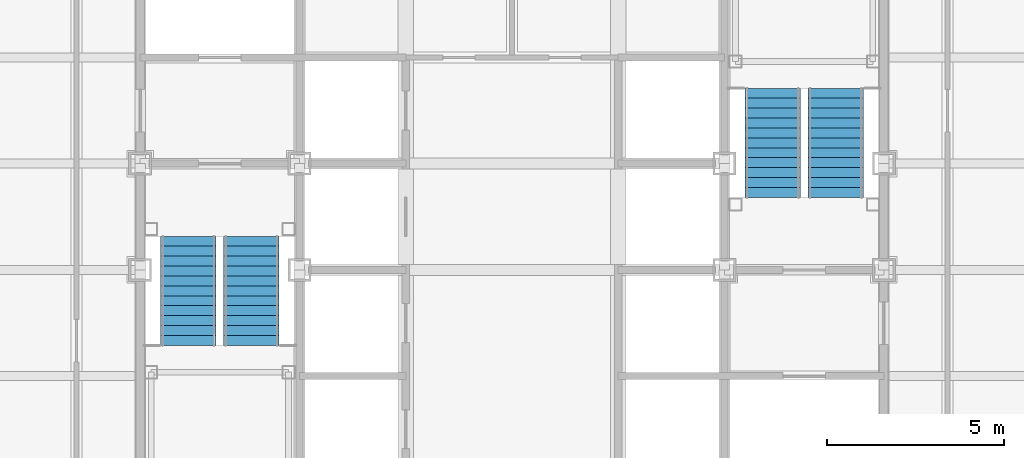
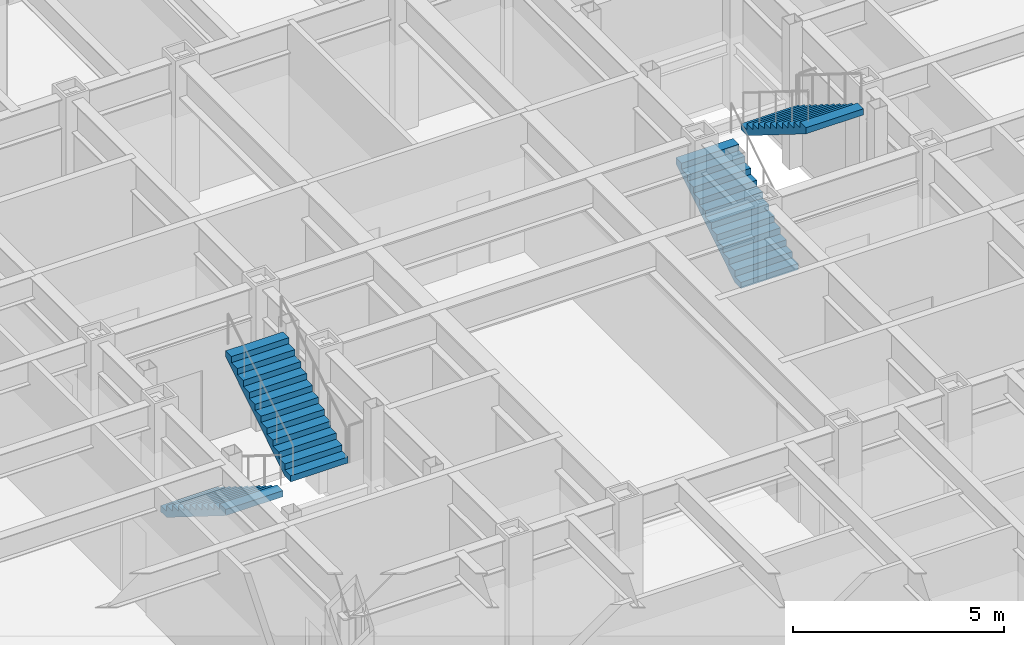
# One storey, part 13 of 16: 4 stair flights, 2 elements without a shape of their own.
"""IFC4 building model written with IfcOpenShell, lengths in metres."""

from ifc_helpers import new_model, si_unit, direction, frame, origin, place, context, subcontext, project, spatial, faceted_brep, material, type_object, element, aggregate, save


model = new_model("IFC4")

# Units and contexts
model_context = context("Model", 3, precision=1e-05, world=origin(), true_north=direction((0.0, 1.0)))
body_context = subcontext(model_context, "Body", "Model", "MODEL_VIEW")
ifc_project = project(units=[si_unit("LENGTHUNIT", "METRE"), si_unit("AREAUNIT", "SQUARE_METRE"), si_unit("VOLUMEUNIT", "CUBIC_METRE"), si_unit("PLANEANGLEUNIT", "RADIAN"), si_unit("MASSUNIT", "GRAM", prefix="KILO")], contexts=[model_context])

# Site, building, storey
site_placement = place(None, origin())
site = spatial("IfcSite", under=ifc_project, at=site_placement, CompositionType="ELEMENT")
building_placement = place(site_placement, origin())
building = spatial("IfcBuilding", under=site, at=building_placement, Name="Chuquiago Exchange Tower", CompositionType="ELEMENT")
storey_placement = place(building_placement, frame((0.0, 0.0, 153.0)))
storey = spatial("IfcBuildingStorey", under=building, at=storey_placement, Name="L33", CompositionType="ELEMENT", Elevation=153.0)

# Stair, stair flights
ifc_material_1 = material(Name="Concrete C30/37, precast", Category="concrete")
stair_type_1 = type_object("IfcStairType", Name="ST1 half-turn stair 4200", PredefinedType="HALF_TURN_STAIR", material=ifc_material_1)
stair_1_placement = place(storey_placement, origin())
stair_1 = element("IfcStair", 1, at=stair_1_placement, inside=storey, type_object=stair_type_1, Name="Stair ST1 L33", PredefinedType="HALF_TURN_STAIR")
ifc_material_2 = material(Name="Concrete C30/37, precast", Category="concrete")
stair_flight_type = type_object("IfcStairFlightType", Name="ST-F flight 1570 for 4200 storey", PredefinedType="STRAIGHT", material=ifc_material_2)
stair_flight_1_placement = place(storey_placement, frame((13.360107421875, 21.949951171875, 0.0), z_axis=(0.0, 0.0, 1.0), x_axis=(0.0, -1.0, 0.0)))
stair_flight_1 = element("IfcStairFlight", 2, at=stair_flight_1_placement, type_object=stair_flight_type, Name="ST1 flight 1", NumberOfRisers=12, NumberOfTreads=11, PredefinedType="STRAIGHT", RiserHeight=0.175, TreadLength=0.28, context=body_context, shape_type="Brep", body=[
    faceted_brep([(0.0, 0.78515625, 0.0), (0.0, 0.78515625, 0.175048828125), (0.280029296875, 0.78515625, 0.175048828125), (0.280029296875, 0.78515625, 0.35009765625), (0.56005859375, 0.78515625, 0.35009765625), (0.56005859375, 0.78515625, 0.52490234375), (0.840087890625, 0.78515625, 0.52490234375), (0.840087890625, 0.78515625, 0.699951171875), (1.1201171875, 0.78515625, 0.699951171875), (1.1201171875, 0.78515625, 0.875), (1.39990234375, 0.78515625, 0.875), (1.39990234375, 0.78515625, 1.050048828125), (1.679931640625, 0.78515625, 1.050048828125), (1.679931640625, 0.78515625, 1.22509765625), (1.9599609375, 0.78515625, 1.22509765625), (1.9599609375, 0.78515625, 1.39990234375), (2.239990234375, 0.78515625, 1.39990234375), (2.239990234375, 0.78515625, 1.574951171875), (2.52001953125, 0.78515625, 1.574951171875), (2.52001953125, 0.78515625, 1.75), (2.800048828125, 0.78515625, 1.75), (2.800048828125, 0.78515625, 1.925048828125), (3.080078125, 0.78515625, 1.925048828125), (3.080078125, 0.78515625, 1.748291015625), (0.28271484375, 0.78515625, 0.0), (0.28271484375, -0.78515625, 0.0), (3.080078125, -0.78515625, 1.748291015625), (3.080078125, -0.78515625, 1.925048828125), (2.800048828125, -0.78515625, 1.925048828125), (2.800048828125, -0.78515625, 1.75), (2.52001953125, -0.78515625, 1.75), (2.52001953125, -0.78515625, 1.574951171875), (2.239990234375, -0.78515625, 1.574951171875), (2.239990234375, -0.78515625, 1.39990234375), (1.9599609375, -0.78515625, 1.39990234375), (1.9599609375, -0.78515625, 1.22509765625), (1.679931640625, -0.78515625, 1.22509765625), (1.679931640625, -0.78515625, 1.050048828125), (1.39990234375, -0.78515625, 1.050048828125), (1.39990234375, -0.78515625, 0.875), (1.1201171875, -0.78515625, 0.875), (1.1201171875, -0.78515625, 0.699951171875), (0.840087890625, -0.78515625, 0.699951171875), (0.840087890625, -0.78515625, 0.52490234375), (0.56005859375, -0.78515625, 0.52490234375), (0.56005859375, -0.78515625, 0.35009765625), (0.280029296875, -0.78515625, 0.35009765625), (0.280029296875, -0.78515625, 0.175048828125), (0.0, -0.78515625, 0.175048828125), (0.0, -0.78515625, 0.0), (0.0, 0.392578125, 0.0), (0.0, 0.392578125, 0.175048828125), (0.0, 0.0, 0.0), (0.0, 0.0, 0.175048828125), (0.0, -0.392578125, 0.0), (0.0, -0.392578125, 0.175048828125), (0.280029296875, 0.392578125, 0.175048828125), (0.280029296875, 0.0, 0.175048828125), (0.280029296875, -0.392578125, 0.175048828125), (0.280029296875, 0.392578125, 0.35009765625), (0.280029296875, 0.0, 0.35009765625), (0.280029296875, -0.392578125, 0.35009765625), (0.56005859375, 0.392578125, 0.35009765625), (0.56005859375, 0.0, 0.35009765625), (0.56005859375, -0.392578125, 0.35009765625), (0.56005859375, 0.392578125, 0.52490234375), (0.56005859375, 0.0, 0.52490234375), (0.56005859375, -0.392578125, 0.52490234375), (0.840087890625, 0.392578125, 0.52490234375), (0.840087890625, 0.0, 0.52490234375), (0.840087890625, -0.392578125, 0.52490234375), (0.840087890625, 0.392578125, 0.699951171875), (0.840087890625, 0.0, 0.699951171875), (0.840087890625, -0.392578125, 0.699951171875), (1.1201171875, 0.392578125, 0.699951171875), (1.1201171875, 0.0, 0.699951171875), (1.1201171875, -0.392578125, 0.699951171875), (1.1201171875, 0.392578125, 0.875), (1.1201171875, 0.0, 0.875), (1.1201171875, -0.392578125, 0.875), (1.39990234375, 0.392578125, 0.875), (1.39990234375, 0.0, 0.875), (1.39990234375, -0.392578125, 0.875), (1.39990234375, 0.392578125, 1.050048828125), (1.39990234375, 0.0, 1.050048828125), (1.39990234375, -0.392578125, 1.050048828125), (1.679931640625, 0.392578125, 1.050048828125), (1.679931640625, 0.0, 1.050048828125), (1.679931640625, -0.392578125, 1.050048828125), (1.679931640625, 0.392578125, 1.22509765625), (1.679931640625, 0.0, 1.22509765625), (1.679931640625, -0.392578125, 1.22509765625), (1.9599609375, 0.392578125, 1.22509765625), (1.9599609375, 0.0, 1.22509765625), (1.9599609375, -0.392578125, 1.22509765625), (1.9599609375, 0.392578125, 1.39990234375), (1.9599609375, 0.0, 1.39990234375), (1.9599609375, -0.392578125, 1.39990234375), (2.239990234375, 0.392578125, 1.39990234375), (2.239990234375, 0.0, 1.39990234375), (2.239990234375, -0.392578125, 1.39990234375), (2.239990234375, 0.392578125, 1.574951171875), (2.239990234375, 0.0, 1.574951171875), (2.239990234375, -0.392578125, 1.574951171875), (2.52001953125, 0.392578125, 1.574951171875), (2.52001953125, 0.0, 1.574951171875), (2.52001953125, -0.392578125, 1.574951171875), (2.52001953125, 0.392578125, 1.75), (2.52001953125, 0.0, 1.75), (2.52001953125, -0.392578125, 1.75), (2.800048828125, 0.392578125, 1.75), (2.800048828125, 0.0, 1.75), (2.800048828125, -0.392578125, 1.75), (2.800048828125, 0.392578125, 1.925048828125), (2.800048828125, 0.0, 1.925048828125), (2.800048828125, -0.392578125, 1.925048828125), (3.080078125, 0.392578125, 1.925048828125), (3.080078125, 0.0, 1.925048828125), (3.080078125, -0.392578125, 1.925048828125), (3.080078125, 0.392578125, 1.748291015625), (3.080078125, 0.0, 1.748291015625), (3.080078125, -0.392578125, 1.748291015625), (0.28271484375, 0.392578125, 0.0), (0.28271484375, 0.0, 0.0), (0.28271484375, -0.392578125, 0.0)], [[[0, 1, 2, 3, 4, 5, 6, 7, 8, 9, 10, 11, 12, 13, 14, 15, 16, 17, 18, 19, 20, 21, 22, 23, 24]], [[25, 26, 27, 28, 29, 30, 31, 32, 33, 34, 35, 36, 37, 38, 39, 40, 41, 42, 43, 44, 45, 46, 47, 48, 49]], [[1, 0, 50, 51]], [[51, 50, 52, 53]], [[53, 52, 54, 55]], [[55, 54, 49, 48]], [[2, 1, 51, 56]], [[56, 51, 53, 57]], [[57, 53, 55, 58]], [[58, 55, 48, 47]], [[3, 2, 56, 59]], [[59, 56, 57, 60]], [[60, 57, 58, 61]], [[61, 58, 47, 46]], [[4, 3, 59, 62]], [[62, 59, 60, 63]], [[63, 60, 61, 64]], [[64, 61, 46, 45]], [[5, 4, 62, 65]], [[65, 62, 63, 66]], [[66, 63, 64, 67]], [[67, 64, 45, 44]], [[6, 5, 65, 68]], [[68, 65, 66, 69]], [[69, 66, 67, 70]], [[70, 67, 44, 43]], [[7, 6, 68, 71]], [[71, 68, 69, 72]], [[72, 69, 70, 73]], [[73, 70, 43, 42]], [[8, 7, 71, 74]], [[74, 71, 72, 75]], [[75, 72, 73, 76]], [[76, 73, 42, 41]], [[9, 8, 74, 77]], [[77, 74, 75, 78]], [[78, 75, 76, 79]], [[79, 76, 41, 40]], [[10, 9, 77, 80]], [[80, 77, 78, 81]], [[81, 78, 79, 82]], [[82, 79, 40, 39]], [[11, 10, 80, 83]], [[83, 80, 81, 84]], [[84, 81, 82, 85]], [[85, 82, 39, 38]], [[12, 11, 83, 86]], [[86, 83, 84, 87]], [[87, 84, 85, 88]], [[88, 85, 38, 37]], [[13, 12, 86, 89]], [[89, 86, 87, 90]], [[90, 87, 88, 91]], [[91, 88, 37, 36]], [[14, 13, 89, 92]], [[92, 89, 90, 93]], [[93, 90, 91, 94]], [[94, 91, 36, 35]], [[15, 14, 92, 95]], [[95, 92, 93, 96]], [[96, 93, 94, 97]], [[97, 94, 35, 34]], [[16, 15, 95, 98]], [[98, 95, 96, 99]], [[99, 96, 97, 100]], [[100, 97, 34, 33]], [[17, 16, 98, 101]], [[101, 98, 99, 102]], [[102, 99, 100, 103]], [[103, 100, 33, 32]], [[18, 17, 101, 104]], [[104, 101, 102, 105]], [[105, 102, 103, 106]], [[106, 103, 32, 31]], [[19, 18, 104, 107]], [[107, 104, 105, 108]], [[108, 105, 106, 109]], [[109, 106, 31, 30]], [[20, 19, 107, 110]], [[110, 107, 108, 111]], [[111, 108, 109, 112]], [[112, 109, 30, 29]], [[21, 20, 110, 113]], [[113, 110, 111, 114]], [[114, 111, 112, 115]], [[115, 112, 29, 28]], [[22, 21, 113, 116]], [[116, 113, 114, 117]], [[117, 114, 115, 118]], [[118, 115, 28, 27]], [[23, 22, 116, 119]], [[119, 116, 117, 120]], [[120, 117, 118, 121]], [[121, 118, 27, 26]], [[24, 23, 119, 122]], [[122, 119, 120, 123]], [[123, 120, 121, 124]], [[124, 121, 26, 25]], [[0, 24, 122, 50]], [[50, 122, 123, 52]], [[52, 123, 124, 54]], [[54, 124, 25, 49]]]),
])
stair_flight_2_placement = place(storey_placement, frame((15.139892578125, 18.8701171875, 2.10009765625), z_axis=(0.0, 0.0, 1.0), x_axis=(0.0, 1.0, 0.0)))
stair_flight_2 = element("IfcStairFlight", 3, at=stair_flight_2_placement, type_object=stair_flight_type, Name="ST1 flight 2", NumberOfRisers=12, NumberOfTreads=11, PredefinedType="STRAIGHT", RiserHeight=0.175, TreadLength=0.28, context=body_context, shape_type="Brep", body=[
    faceted_brep([(0.0, 0.78515625, 0.0), (0.0, 0.78515625, 0.175048828125), (0.280029296875, 0.78515625, 0.175048828125), (0.280029296875, 0.78515625, 0.35009765625), (0.56005859375, 0.78515625, 0.35009765625), (0.56005859375, 0.78515625, 0.52490234375), (0.840087890625, 0.78515625, 0.52490234375), (0.840087890625, 0.78515625, 0.699951171875), (1.1201171875, 0.78515625, 0.699951171875), (1.1201171875, 0.78515625, 0.875), (1.39990234375, 0.78515625, 0.875), (1.39990234375, 0.78515625, 1.050048828125), (1.679931640625, 0.78515625, 1.050048828125), (1.679931640625, 0.78515625, 1.22509765625), (1.9599609375, 0.78515625, 1.22509765625), (1.9599609375, 0.78515625, 1.39990234375), (2.239990234375, 0.78515625, 1.39990234375), (2.239990234375, 0.78515625, 1.574951171875), (2.52001953125, 0.78515625, 1.574951171875), (2.52001953125, 0.78515625, 1.75), (2.800048828125, 0.78515625, 1.75), (2.800048828125, 0.78515625, 1.925048828125), (3.080078125, 0.78515625, 1.925048828125), (3.080078125, 0.78515625, 1.748291015625), (0.28271484375, 0.78515625, 0.0), (0.28271484375, -0.78515625, 0.0), (3.080078125, -0.78515625, 1.748291015625), (3.080078125, -0.78515625, 1.925048828125), (2.800048828125, -0.78515625, 1.925048828125), (2.800048828125, -0.78515625, 1.75), (2.52001953125, -0.78515625, 1.75), (2.52001953125, -0.78515625, 1.574951171875), (2.239990234375, -0.78515625, 1.574951171875), (2.239990234375, -0.78515625, 1.39990234375), (1.9599609375, -0.78515625, 1.39990234375), (1.9599609375, -0.78515625, 1.22509765625), (1.679931640625, -0.78515625, 1.22509765625), (1.679931640625, -0.78515625, 1.050048828125), (1.39990234375, -0.78515625, 1.050048828125), (1.39990234375, -0.78515625, 0.875), (1.1201171875, -0.78515625, 0.875), (1.1201171875, -0.78515625, 0.699951171875), (0.840087890625, -0.78515625, 0.699951171875), (0.840087890625, -0.78515625, 0.52490234375), (0.56005859375, -0.78515625, 0.52490234375), (0.56005859375, -0.78515625, 0.35009765625), (0.280029296875, -0.78515625, 0.35009765625), (0.280029296875, -0.78515625, 0.175048828125), (0.0, -0.78515625, 0.175048828125), (0.0, -0.78515625, 0.0), (0.0, 0.392578125, 0.0), (0.0, 0.392578125, 0.175048828125), (0.0, 0.0, 0.0), (0.0, 0.0, 0.175048828125), (0.0, -0.392578125, 0.0), (0.0, -0.392578125, 0.175048828125), (0.280029296875, 0.392578125, 0.175048828125), (0.280029296875, 0.0, 0.175048828125), (0.280029296875, -0.392578125, 0.175048828125), (0.280029296875, 0.392578125, 0.35009765625), (0.280029296875, 0.0, 0.35009765625), (0.280029296875, -0.392578125, 0.35009765625), (0.56005859375, 0.392578125, 0.35009765625), (0.56005859375, 0.0, 0.35009765625), (0.56005859375, -0.392578125, 0.35009765625), (0.56005859375, 0.392578125, 0.52490234375), (0.56005859375, 0.0, 0.52490234375), (0.56005859375, -0.392578125, 0.52490234375), (0.840087890625, 0.392578125, 0.52490234375), (0.840087890625, 0.0, 0.52490234375), (0.840087890625, -0.392578125, 0.52490234375), (0.840087890625, 0.392578125, 0.699951171875), (0.840087890625, 0.0, 0.699951171875), (0.840087890625, -0.392578125, 0.699951171875), (1.1201171875, 0.392578125, 0.699951171875), (1.1201171875, 0.0, 0.699951171875), (1.1201171875, -0.392578125, 0.699951171875), (1.1201171875, 0.392578125, 0.875), (1.1201171875, 0.0, 0.875), (1.1201171875, -0.392578125, 0.875), (1.39990234375, 0.392578125, 0.875), (1.39990234375, 0.0, 0.875), (1.39990234375, -0.392578125, 0.875), (1.39990234375, 0.392578125, 1.050048828125), (1.39990234375, 0.0, 1.050048828125), (1.39990234375, -0.392578125, 1.050048828125), (1.679931640625, 0.392578125, 1.050048828125), (1.679931640625, 0.0, 1.050048828125), (1.679931640625, -0.392578125, 1.050048828125), (1.679931640625, 0.392578125, 1.22509765625), (1.679931640625, 0.0, 1.22509765625), (1.679931640625, -0.392578125, 1.22509765625), (1.9599609375, 0.392578125, 1.22509765625), (1.9599609375, 0.0, 1.22509765625), (1.9599609375, -0.392578125, 1.22509765625), (1.9599609375, 0.392578125, 1.39990234375), (1.9599609375, 0.0, 1.39990234375), (1.9599609375, -0.392578125, 1.39990234375), (2.239990234375, 0.392578125, 1.39990234375), (2.239990234375, 0.0, 1.39990234375), (2.239990234375, -0.392578125, 1.39990234375), (2.239990234375, 0.392578125, 1.574951171875), (2.239990234375, 0.0, 1.574951171875), (2.239990234375, -0.392578125, 1.574951171875), (2.52001953125, 0.392578125, 1.574951171875), (2.52001953125, 0.0, 1.574951171875), (2.52001953125, -0.392578125, 1.574951171875), (2.52001953125, 0.392578125, 1.75), (2.52001953125, 0.0, 1.75), (2.52001953125, -0.392578125, 1.75), (2.800048828125, 0.392578125, 1.75), (2.800048828125, 0.0, 1.75), (2.800048828125, -0.392578125, 1.75), (2.800048828125, 0.392578125, 1.925048828125), (2.800048828125, 0.0, 1.925048828125), (2.800048828125, -0.392578125, 1.925048828125), (3.080078125, 0.392578125, 1.925048828125), (3.080078125, 0.0, 1.925048828125), (3.080078125, -0.392578125, 1.925048828125), (3.080078125, 0.392578125, 1.748291015625), (3.080078125, 0.0, 1.748291015625), (3.080078125, -0.392578125, 1.748291015625), (0.28271484375, 0.392578125, 0.0), (0.28271484375, 0.0, 0.0), (0.28271484375, -0.392578125, 0.0)], [[[0, 1, 2, 3, 4, 5, 6, 7, 8, 9, 10, 11, 12, 13, 14, 15, 16, 17, 18, 19, 20, 21, 22, 23, 24]], [[25, 26, 27, 28, 29, 30, 31, 32, 33, 34, 35, 36, 37, 38, 39, 40, 41, 42, 43, 44, 45, 46, 47, 48, 49]], [[1, 0, 50, 51]], [[51, 50, 52, 53]], [[53, 52, 54, 55]], [[55, 54, 49, 48]], [[2, 1, 51, 56]], [[56, 51, 53, 57]], [[57, 53, 55, 58]], [[58, 55, 48, 47]], [[3, 2, 56, 59]], [[59, 56, 57, 60]], [[60, 57, 58, 61]], [[61, 58, 47, 46]], [[4, 3, 59, 62]], [[62, 59, 60, 63]], [[63, 60, 61, 64]], [[64, 61, 46, 45]], [[5, 4, 62, 65]], [[65, 62, 63, 66]], [[66, 63, 64, 67]], [[67, 64, 45, 44]], [[6, 5, 65, 68]], [[68, 65, 66, 69]], [[69, 66, 67, 70]], [[70, 67, 44, 43]], [[7, 6, 68, 71]], [[71, 68, 69, 72]], [[72, 69, 70, 73]], [[73, 70, 43, 42]], [[8, 7, 71, 74]], [[74, 71, 72, 75]], [[75, 72, 73, 76]], [[76, 73, 42, 41]], [[9, 8, 74, 77]], [[77, 74, 75, 78]], [[78, 75, 76, 79]], [[79, 76, 41, 40]], [[10, 9, 77, 80]], [[80, 77, 78, 81]], [[81, 78, 79, 82]], [[82, 79, 40, 39]], [[11, 10, 80, 83]], [[83, 80, 81, 84]], [[84, 81, 82, 85]], [[85, 82, 39, 38]], [[12, 11, 83, 86]], [[86, 83, 84, 87]], [[87, 84, 85, 88]], [[88, 85, 38, 37]], [[13, 12, 86, 89]], [[89, 86, 87, 90]], [[90, 87, 88, 91]], [[91, 88, 37, 36]], [[14, 13, 89, 92]], [[92, 89, 90, 93]], [[93, 90, 91, 94]], [[94, 91, 36, 35]], [[15, 14, 92, 95]], [[95, 92, 93, 96]], [[96, 93, 94, 97]], [[97, 94, 35, 34]], [[16, 15, 95, 98]], [[98, 95, 96, 99]], [[99, 96, 97, 100]], [[100, 97, 34, 33]], [[17, 16, 98, 101]], [[101, 98, 99, 102]], [[102, 99, 100, 103]], [[103, 100, 33, 32]], [[18, 17, 101, 104]], [[104, 101, 102, 105]], [[105, 102, 103, 106]], [[106, 103, 32, 31]], [[19, 18, 104, 107]], [[107, 104, 105, 108]], [[108, 105, 106, 109]], [[109, 106, 31, 30]], [[20, 19, 107, 110]], [[110, 107, 108, 111]], [[111, 108, 109, 112]], [[112, 109, 30, 29]], [[21, 20, 110, 113]], [[113, 110, 111, 114]], [[114, 111, 112, 115]], [[115, 112, 29, 28]], [[22, 21, 113, 116]], [[116, 113, 114, 117]], [[117, 114, 115, 118]], [[118, 115, 28, 27]], [[23, 22, 116, 119]], [[119, 116, 117, 120]], [[120, 117, 118, 121]], [[121, 118, 27, 26]], [[24, 23, 119, 122]], [[122, 119, 120, 123]], [[123, 120, 121, 124]], [[124, 121, 26, 25]], [[0, 24, 122, 50]], [[50, 122, 123, 52]], [[52, 123, 124, 54]], [[54, 124, 25, 49]]]),
])
aggregate(stair_1, [stair_flight_1, stair_flight_2])

ifc_material_3 = material(Name="Concrete C30/37, precast", Category="concrete")
stair_type_2 = type_object("IfcStairType", Name="ST2 half-turn stair 4200", PredefinedType="HALF_TURN_STAIR", material=ifc_material_3)
stair_2_placement = place(storey_placement, origin())
stair_2 = element("IfcStair", 4, at=stair_2_placement, inside=storey, type_object=stair_type_2, Name="Stair ST2 L33", PredefinedType="HALF_TURN_STAIR")
stair_flight_3_placement = place(storey_placement, frame((29.860107421875, 23.050048828125, 0.0), z_axis=(0.0, 0.0, 1.0), x_axis=(0.0, 1.0, 0.0)))
stair_flight_3 = element("IfcStairFlight", 5, at=stair_flight_3_placement, type_object=stair_flight_type, Name="ST2 flight 1", NumberOfRisers=12, NumberOfTreads=11, PredefinedType="STRAIGHT", RiserHeight=0.175, TreadLength=0.28, context=body_context, shape_type="Brep", body=[
    faceted_brep([(0.0, 0.78515625, 0.0), (0.0, 0.78515625, 0.175048828125), (0.280029296875, 0.78515625, 0.175048828125), (0.280029296875, 0.78515625, 0.35009765625), (0.56005859375, 0.78515625, 0.35009765625), (0.56005859375, 0.78515625, 0.52490234375), (0.840087890625, 0.78515625, 0.52490234375), (0.840087890625, 0.78515625, 0.699951171875), (1.1201171875, 0.78515625, 0.699951171875), (1.1201171875, 0.78515625, 0.875), (1.39990234375, 0.78515625, 0.875), (1.39990234375, 0.78515625, 1.050048828125), (1.679931640625, 0.78515625, 1.050048828125), (1.679931640625, 0.78515625, 1.22509765625), (1.9599609375, 0.78515625, 1.22509765625), (1.9599609375, 0.78515625, 1.39990234375), (2.239990234375, 0.78515625, 1.39990234375), (2.239990234375, 0.78515625, 1.574951171875), (2.52001953125, 0.78515625, 1.574951171875), (2.52001953125, 0.78515625, 1.75), (2.800048828125, 0.78515625, 1.75), (2.800048828125, 0.78515625, 1.925048828125), (3.080078125, 0.78515625, 1.925048828125), (3.080078125, 0.78515625, 1.748291015625), (0.28271484375, 0.78515625, 0.0), (0.28271484375, -0.78515625, 0.0), (3.080078125, -0.78515625, 1.748291015625), (3.080078125, -0.78515625, 1.925048828125), (2.800048828125, -0.78515625, 1.925048828125), (2.800048828125, -0.78515625, 1.75), (2.52001953125, -0.78515625, 1.75), (2.52001953125, -0.78515625, 1.574951171875), (2.239990234375, -0.78515625, 1.574951171875), (2.239990234375, -0.78515625, 1.39990234375), (1.9599609375, -0.78515625, 1.39990234375), (1.9599609375, -0.78515625, 1.22509765625), (1.679931640625, -0.78515625, 1.22509765625), (1.679931640625, -0.78515625, 1.050048828125), (1.39990234375, -0.78515625, 1.050048828125), (1.39990234375, -0.78515625, 0.875), (1.1201171875, -0.78515625, 0.875), (1.1201171875, -0.78515625, 0.699951171875), (0.840087890625, -0.78515625, 0.699951171875), (0.840087890625, -0.78515625, 0.52490234375), (0.56005859375, -0.78515625, 0.52490234375), (0.56005859375, -0.78515625, 0.35009765625), (0.280029296875, -0.78515625, 0.35009765625), (0.280029296875, -0.78515625, 0.175048828125), (0.0, -0.78515625, 0.175048828125), (0.0, -0.78515625, 0.0), (0.0, 0.392578125, 0.0), (0.0, 0.392578125, 0.175048828125), (0.0, 0.0, 0.0), (0.0, 0.0, 0.175048828125), (0.0, -0.392578125, 0.0), (0.0, -0.392578125, 0.175048828125), (0.280029296875, 0.392578125, 0.175048828125), (0.280029296875, 0.0, 0.175048828125), (0.280029296875, -0.392578125, 0.175048828125), (0.280029296875, 0.392578125, 0.35009765625), (0.280029296875, 0.0, 0.35009765625), (0.280029296875, -0.392578125, 0.35009765625), (0.56005859375, 0.392578125, 0.35009765625), (0.56005859375, 0.0, 0.35009765625), (0.56005859375, -0.392578125, 0.35009765625), (0.56005859375, 0.392578125, 0.52490234375), (0.56005859375, 0.0, 0.52490234375), (0.56005859375, -0.392578125, 0.52490234375), (0.840087890625, 0.392578125, 0.52490234375), (0.840087890625, 0.0, 0.52490234375), (0.840087890625, -0.392578125, 0.52490234375), (0.840087890625, 0.392578125, 0.699951171875), (0.840087890625, 0.0, 0.699951171875), (0.840087890625, -0.392578125, 0.699951171875), (1.1201171875, 0.392578125, 0.699951171875), (1.1201171875, 0.0, 0.699951171875), (1.1201171875, -0.392578125, 0.699951171875), (1.1201171875, 0.392578125, 0.875), (1.1201171875, 0.0, 0.875), (1.1201171875, -0.392578125, 0.875), (1.39990234375, 0.392578125, 0.875), (1.39990234375, 0.0, 0.875), (1.39990234375, -0.392578125, 0.875), (1.39990234375, 0.392578125, 1.050048828125), (1.39990234375, 0.0, 1.050048828125), (1.39990234375, -0.392578125, 1.050048828125), (1.679931640625, 0.392578125, 1.050048828125), (1.679931640625, 0.0, 1.050048828125), (1.679931640625, -0.392578125, 1.050048828125), (1.679931640625, 0.392578125, 1.22509765625), (1.679931640625, 0.0, 1.22509765625), (1.679931640625, -0.392578125, 1.22509765625), (1.9599609375, 0.392578125, 1.22509765625), (1.9599609375, 0.0, 1.22509765625), (1.9599609375, -0.392578125, 1.22509765625), (1.9599609375, 0.392578125, 1.39990234375), (1.9599609375, 0.0, 1.39990234375), (1.9599609375, -0.392578125, 1.39990234375), (2.239990234375, 0.392578125, 1.39990234375), (2.239990234375, 0.0, 1.39990234375), (2.239990234375, -0.392578125, 1.39990234375), (2.239990234375, 0.392578125, 1.574951171875), (2.239990234375, 0.0, 1.574951171875), (2.239990234375, -0.392578125, 1.574951171875), (2.52001953125, 0.392578125, 1.574951171875), (2.52001953125, 0.0, 1.574951171875), (2.52001953125, -0.392578125, 1.574951171875), (2.52001953125, 0.392578125, 1.75), (2.52001953125, 0.0, 1.75), (2.52001953125, -0.392578125, 1.75), (2.800048828125, 0.392578125, 1.75), (2.800048828125, 0.0, 1.75), (2.800048828125, -0.392578125, 1.75), (2.800048828125, 0.392578125, 1.925048828125), (2.800048828125, 0.0, 1.925048828125), (2.800048828125, -0.392578125, 1.925048828125), (3.080078125, 0.392578125, 1.925048828125), (3.080078125, 0.0, 1.925048828125), (3.080078125, -0.392578125, 1.925048828125), (3.080078125, 0.392578125, 1.748291015625), (3.080078125, 0.0, 1.748291015625), (3.080078125, -0.392578125, 1.748291015625), (0.28271484375, 0.392578125, 0.0), (0.28271484375, 0.0, 0.0), (0.28271484375, -0.392578125, 0.0)], [[[0, 1, 2, 3, 4, 5, 6, 7, 8, 9, 10, 11, 12, 13, 14, 15, 16, 17, 18, 19, 20, 21, 22, 23, 24]], [[25, 26, 27, 28, 29, 30, 31, 32, 33, 34, 35, 36, 37, 38, 39, 40, 41, 42, 43, 44, 45, 46, 47, 48, 49]], [[1, 0, 50, 51]], [[51, 50, 52, 53]], [[53, 52, 54, 55]], [[55, 54, 49, 48]], [[2, 1, 51, 56]], [[56, 51, 53, 57]], [[57, 53, 55, 58]], [[58, 55, 48, 47]], [[3, 2, 56, 59]], [[59, 56, 57, 60]], [[60, 57, 58, 61]], [[61, 58, 47, 46]], [[4, 3, 59, 62]], [[62, 59, 60, 63]], [[63, 60, 61, 64]], [[64, 61, 46, 45]], [[5, 4, 62, 65]], [[65, 62, 63, 66]], [[66, 63, 64, 67]], [[67, 64, 45, 44]], [[6, 5, 65, 68]], [[68, 65, 66, 69]], [[69, 66, 67, 70]], [[70, 67, 44, 43]], [[7, 6, 68, 71]], [[71, 68, 69, 72]], [[72, 69, 70, 73]], [[73, 70, 43, 42]], [[8, 7, 71, 74]], [[74, 71, 72, 75]], [[75, 72, 73, 76]], [[76, 73, 42, 41]], [[9, 8, 74, 77]], [[77, 74, 75, 78]], [[78, 75, 76, 79]], [[79, 76, 41, 40]], [[10, 9, 77, 80]], [[80, 77, 78, 81]], [[81, 78, 79, 82]], [[82, 79, 40, 39]], [[11, 10, 80, 83]], [[83, 80, 81, 84]], [[84, 81, 82, 85]], [[85, 82, 39, 38]], [[12, 11, 83, 86]], [[86, 83, 84, 87]], [[87, 84, 85, 88]], [[88, 85, 38, 37]], [[13, 12, 86, 89]], [[89, 86, 87, 90]], [[90, 87, 88, 91]], [[91, 88, 37, 36]], [[14, 13, 89, 92]], [[92, 89, 90, 93]], [[93, 90, 91, 94]], [[94, 91, 36, 35]], [[15, 14, 92, 95]], [[95, 92, 93, 96]], [[96, 93, 94, 97]], [[97, 94, 35, 34]], [[16, 15, 95, 98]], [[98, 95, 96, 99]], [[99, 96, 97, 100]], [[100, 97, 34, 33]], [[17, 16, 98, 101]], [[101, 98, 99, 102]], [[102, 99, 100, 103]], [[103, 100, 33, 32]], [[18, 17, 101, 104]], [[104, 101, 102, 105]], [[105, 102, 103, 106]], [[106, 103, 32, 31]], [[19, 18, 104, 107]], [[107, 104, 105, 108]], [[108, 105, 106, 109]], [[109, 106, 31, 30]], [[20, 19, 107, 110]], [[110, 107, 108, 111]], [[111, 108, 109, 112]], [[112, 109, 30, 29]], [[21, 20, 110, 113]], [[113, 110, 111, 114]], [[114, 111, 112, 115]], [[115, 112, 29, 28]], [[22, 21, 113, 116]], [[116, 113, 114, 117]], [[117, 114, 115, 118]], [[118, 115, 28, 27]], [[23, 22, 116, 119]], [[119, 116, 117, 120]], [[120, 117, 118, 121]], [[121, 118, 27, 26]], [[24, 23, 119, 122]], [[122, 119, 120, 123]], [[123, 120, 121, 124]], [[124, 121, 26, 25]], [[0, 24, 122, 50]], [[50, 122, 123, 52]], [[52, 123, 124, 54]], [[54, 124, 25, 49]]]),
])
stair_flight_4_placement = place(storey_placement, frame((31.639892578125, 26.1298828125, 2.10009765625), z_axis=(0.0, 0.0, 1.0), x_axis=(0.0, -1.0, 0.0)))
stair_flight_4 = element("IfcStairFlight", 6, at=stair_flight_4_placement, type_object=stair_flight_type, Name="ST2 flight 2", NumberOfRisers=12, NumberOfTreads=11, PredefinedType="STRAIGHT", RiserHeight=0.175, TreadLength=0.28, context=body_context, shape_type="Brep", body=[
    faceted_brep([(0.0, 0.78515625, 0.0), (0.0, 0.78515625, 0.175048828125), (0.280029296875, 0.78515625, 0.175048828125), (0.280029296875, 0.78515625, 0.35009765625), (0.56005859375, 0.78515625, 0.35009765625), (0.56005859375, 0.78515625, 0.52490234375), (0.840087890625, 0.78515625, 0.52490234375), (0.840087890625, 0.78515625, 0.699951171875), (1.1201171875, 0.78515625, 0.699951171875), (1.1201171875, 0.78515625, 0.875), (1.39990234375, 0.78515625, 0.875), (1.39990234375, 0.78515625, 1.050048828125), (1.679931640625, 0.78515625, 1.050048828125), (1.679931640625, 0.78515625, 1.22509765625), (1.9599609375, 0.78515625, 1.22509765625), (1.9599609375, 0.78515625, 1.39990234375), (2.239990234375, 0.78515625, 1.39990234375), (2.239990234375, 0.78515625, 1.574951171875), (2.52001953125, 0.78515625, 1.574951171875), (2.52001953125, 0.78515625, 1.75), (2.800048828125, 0.78515625, 1.75), (2.800048828125, 0.78515625, 1.925048828125), (3.080078125, 0.78515625, 1.925048828125), (3.080078125, 0.78515625, 1.748291015625), (0.28271484375, 0.78515625, 0.0), (0.28271484375, -0.78515625, 0.0), (3.080078125, -0.78515625, 1.748291015625), (3.080078125, -0.78515625, 1.925048828125), (2.800048828125, -0.78515625, 1.925048828125), (2.800048828125, -0.78515625, 1.75), (2.52001953125, -0.78515625, 1.75), (2.52001953125, -0.78515625, 1.574951171875), (2.239990234375, -0.78515625, 1.574951171875), (2.239990234375, -0.78515625, 1.39990234375), (1.9599609375, -0.78515625, 1.39990234375), (1.9599609375, -0.78515625, 1.22509765625), (1.679931640625, -0.78515625, 1.22509765625), (1.679931640625, -0.78515625, 1.050048828125), (1.39990234375, -0.78515625, 1.050048828125), (1.39990234375, -0.78515625, 0.875), (1.1201171875, -0.78515625, 0.875), (1.1201171875, -0.78515625, 0.699951171875), (0.840087890625, -0.78515625, 0.699951171875), (0.840087890625, -0.78515625, 0.52490234375), (0.56005859375, -0.78515625, 0.52490234375), (0.56005859375, -0.78515625, 0.35009765625), (0.280029296875, -0.78515625, 0.35009765625), (0.280029296875, -0.78515625, 0.175048828125), (0.0, -0.78515625, 0.175048828125), (0.0, -0.78515625, 0.0), (0.0, 0.392578125, 0.0), (0.0, 0.392578125, 0.175048828125), (0.0, 0.0, 0.0), (0.0, 0.0, 0.175048828125), (0.0, -0.392578125, 0.0), (0.0, -0.392578125, 0.175048828125), (0.280029296875, 0.392578125, 0.175048828125), (0.280029296875, 0.0, 0.175048828125), (0.280029296875, -0.392578125, 0.175048828125), (0.280029296875, 0.392578125, 0.35009765625), (0.280029296875, 0.0, 0.35009765625), (0.280029296875, -0.392578125, 0.35009765625), (0.56005859375, 0.392578125, 0.35009765625), (0.56005859375, 0.0, 0.35009765625), (0.56005859375, -0.392578125, 0.35009765625), (0.56005859375, 0.392578125, 0.52490234375), (0.56005859375, 0.0, 0.52490234375), (0.56005859375, -0.392578125, 0.52490234375), (0.840087890625, 0.392578125, 0.52490234375), (0.840087890625, 0.0, 0.52490234375), (0.840087890625, -0.392578125, 0.52490234375), (0.840087890625, 0.392578125, 0.699951171875), (0.840087890625, 0.0, 0.699951171875), (0.840087890625, -0.392578125, 0.699951171875), (1.1201171875, 0.392578125, 0.699951171875), (1.1201171875, 0.0, 0.699951171875), (1.1201171875, -0.392578125, 0.699951171875), (1.1201171875, 0.392578125, 0.875), (1.1201171875, 0.0, 0.875), (1.1201171875, -0.392578125, 0.875), (1.39990234375, 0.392578125, 0.875), (1.39990234375, 0.0, 0.875), (1.39990234375, -0.392578125, 0.875), (1.39990234375, 0.392578125, 1.050048828125), (1.39990234375, 0.0, 1.050048828125), (1.39990234375, -0.392578125, 1.050048828125), (1.679931640625, 0.392578125, 1.050048828125), (1.679931640625, 0.0, 1.050048828125), (1.679931640625, -0.392578125, 1.050048828125), (1.679931640625, 0.392578125, 1.22509765625), (1.679931640625, 0.0, 1.22509765625), (1.679931640625, -0.392578125, 1.22509765625), (1.9599609375, 0.392578125, 1.22509765625), (1.9599609375, 0.0, 1.22509765625), (1.9599609375, -0.392578125, 1.22509765625), (1.9599609375, 0.392578125, 1.39990234375), (1.9599609375, 0.0, 1.39990234375), (1.9599609375, -0.392578125, 1.39990234375), (2.239990234375, 0.392578125, 1.39990234375), (2.239990234375, 0.0, 1.39990234375), (2.239990234375, -0.392578125, 1.39990234375), (2.239990234375, 0.392578125, 1.574951171875), (2.239990234375, 0.0, 1.574951171875), (2.239990234375, -0.392578125, 1.574951171875), (2.52001953125, 0.392578125, 1.574951171875), (2.52001953125, 0.0, 1.574951171875), (2.52001953125, -0.392578125, 1.574951171875), (2.52001953125, 0.392578125, 1.75), (2.52001953125, 0.0, 1.75), (2.52001953125, -0.392578125, 1.75), (2.800048828125, 0.392578125, 1.75), (2.800048828125, 0.0, 1.75), (2.800048828125, -0.392578125, 1.75), (2.800048828125, 0.392578125, 1.925048828125), (2.800048828125, 0.0, 1.925048828125), (2.800048828125, -0.392578125, 1.925048828125), (3.080078125, 0.392578125, 1.925048828125), (3.080078125, 0.0, 1.925048828125), (3.080078125, -0.392578125, 1.925048828125), (3.080078125, 0.392578125, 1.748291015625), (3.080078125, 0.0, 1.748291015625), (3.080078125, -0.392578125, 1.748291015625), (0.28271484375, 0.392578125, 0.0), (0.28271484375, 0.0, 0.0), (0.28271484375, -0.392578125, 0.0)], [[[0, 1, 2, 3, 4, 5, 6, 7, 8, 9, 10, 11, 12, 13, 14, 15, 16, 17, 18, 19, 20, 21, 22, 23, 24]], [[25, 26, 27, 28, 29, 30, 31, 32, 33, 34, 35, 36, 37, 38, 39, 40, 41, 42, 43, 44, 45, 46, 47, 48, 49]], [[1, 0, 50, 51]], [[51, 50, 52, 53]], [[53, 52, 54, 55]], [[55, 54, 49, 48]], [[2, 1, 51, 56]], [[56, 51, 53, 57]], [[57, 53, 55, 58]], [[58, 55, 48, 47]], [[3, 2, 56, 59]], [[59, 56, 57, 60]], [[60, 57, 58, 61]], [[61, 58, 47, 46]], [[4, 3, 59, 62]], [[62, 59, 60, 63]], [[63, 60, 61, 64]], [[64, 61, 46, 45]], [[5, 4, 62, 65]], [[65, 62, 63, 66]], [[66, 63, 64, 67]], [[67, 64, 45, 44]], [[6, 5, 65, 68]], [[68, 65, 66, 69]], [[69, 66, 67, 70]], [[70, 67, 44, 43]], [[7, 6, 68, 71]], [[71, 68, 69, 72]], [[72, 69, 70, 73]], [[73, 70, 43, 42]], [[8, 7, 71, 74]], [[74, 71, 72, 75]], [[75, 72, 73, 76]], [[76, 73, 42, 41]], [[9, 8, 74, 77]], [[77, 74, 75, 78]], [[78, 75, 76, 79]], [[79, 76, 41, 40]], [[10, 9, 77, 80]], [[80, 77, 78, 81]], [[81, 78, 79, 82]], [[82, 79, 40, 39]], [[11, 10, 80, 83]], [[83, 80, 81, 84]], [[84, 81, 82, 85]], [[85, 82, 39, 38]], [[12, 11, 83, 86]], [[86, 83, 84, 87]], [[87, 84, 85, 88]], [[88, 85, 38, 37]], [[13, 12, 86, 89]], [[89, 86, 87, 90]], [[90, 87, 88, 91]], [[91, 88, 37, 36]], [[14, 13, 89, 92]], [[92, 89, 90, 93]], [[93, 90, 91, 94]], [[94, 91, 36, 35]], [[15, 14, 92, 95]], [[95, 92, 93, 96]], [[96, 93, 94, 97]], [[97, 94, 35, 34]], [[16, 15, 95, 98]], [[98, 95, 96, 99]], [[99, 96, 97, 100]], [[100, 97, 34, 33]], [[17, 16, 98, 101]], [[101, 98, 99, 102]], [[102, 99, 100, 103]], [[103, 100, 33, 32]], [[18, 17, 101, 104]], [[104, 101, 102, 105]], [[105, 102, 103, 106]], [[106, 103, 32, 31]], [[19, 18, 104, 107]], [[107, 104, 105, 108]], [[108, 105, 106, 109]], [[109, 106, 31, 30]], [[20, 19, 107, 110]], [[110, 107, 108, 111]], [[111, 108, 109, 112]], [[112, 109, 30, 29]], [[21, 20, 110, 113]], [[113, 110, 111, 114]], [[114, 111, 112, 115]], [[115, 112, 29, 28]], [[22, 21, 113, 116]], [[116, 113, 114, 117]], [[117, 114, 115, 118]], [[118, 115, 28, 27]], [[23, 22, 116, 119]], [[119, 116, 117, 120]], [[120, 117, 118, 121]], [[121, 118, 27, 26]], [[24, 23, 119, 122]], [[122, 119, 120, 123]], [[123, 120, 121, 124]], [[124, 121, 26, 25]], [[0, 24, 122, 50]], [[50, 122, 123, 52]], [[52, 123, 124, 54]], [[54, 124, 25, 49]]]),
])
aggregate(stair_2, [stair_flight_3, stair_flight_4])

save(model, "model.ifc")
